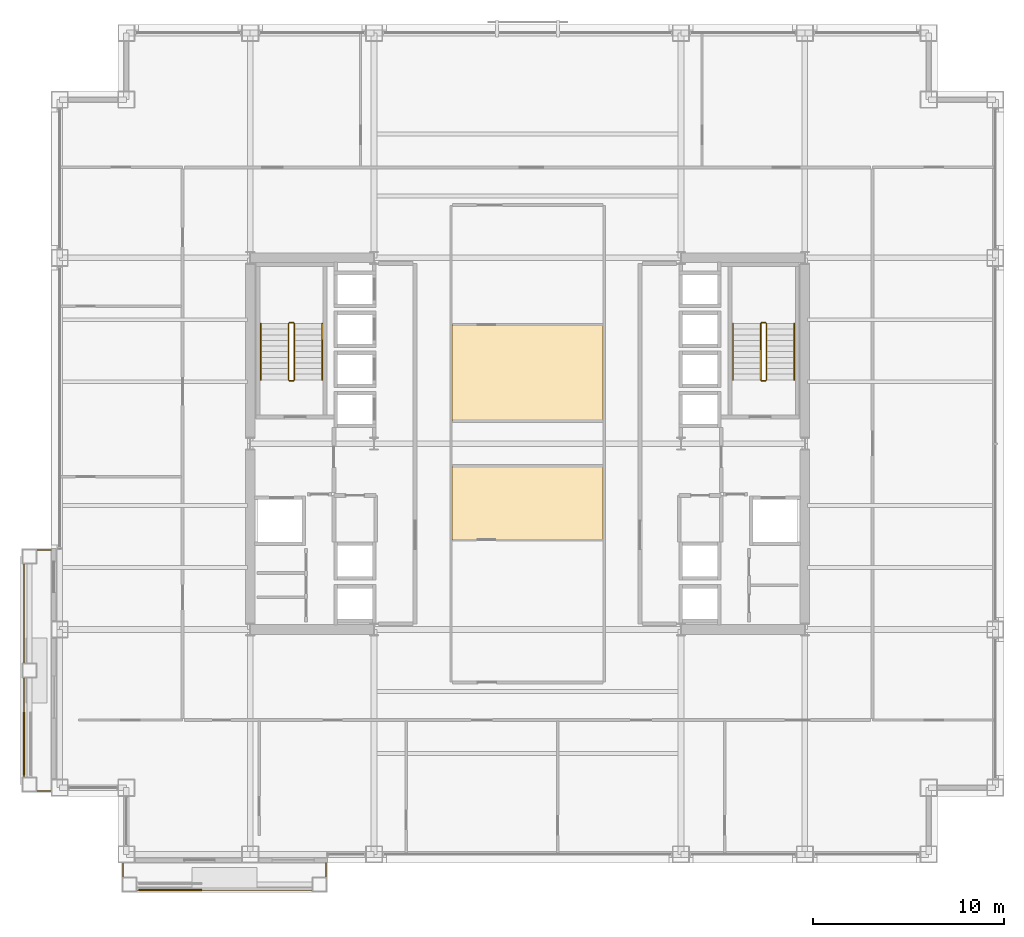
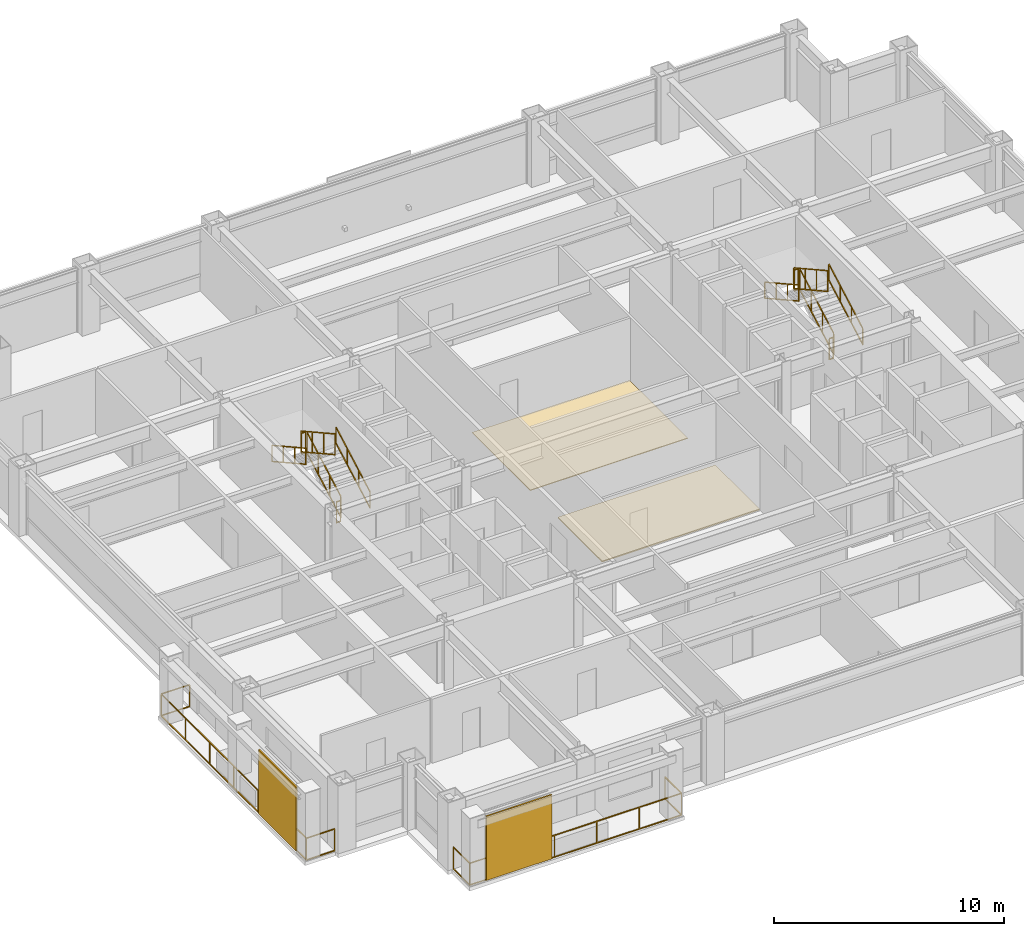
# One storey, part 28 of 30: 14 railings, 2 coverings, 2 shading devices.
"""IFC4 building model written with IfcOpenShell, lengths in metres."""

from ifc_helpers import new_model, si_unit, direction, frame, origin, origin_2d, place, context, subcontext, project, spatial, polyline, rectangle, outline, extrude, material, layer, layer_set, type_object, element, save


model = new_model("IFC4")

# Units and contexts
model_context = context("Model", 3, precision=1e-05, world=origin(), true_north=direction((0.0, 1.0)))
body_context = subcontext(model_context, "Body", "Model", "MODEL_VIEW")
ifc_project = project(units=[si_unit("LENGTHUNIT", "METRE"), si_unit("AREAUNIT", "SQUARE_METRE"), si_unit("VOLUMEUNIT", "CUBIC_METRE"), si_unit("PLANEANGLEUNIT", "RADIAN"), si_unit("MASSUNIT", "GRAM", prefix="KILO")], contexts=[model_context])

# Site, building, storey
site_placement = place(None, origin())
site = spatial("IfcSite", under=ifc_project, at=site_placement, CompositionType="ELEMENT")
building_placement = place(site_placement, origin())
building = spatial("IfcBuilding", under=site, at=building_placement, Name="Brelmoor Portico Tower", CompositionType="ELEMENT")
storey_placement = place(building_placement, frame((0.0, 0.0, 74.39990234375)))
storey = spatial("IfcBuildingStorey", under=building, at=storey_placement, Name="L19", CompositionType="ELEMENT", Elevation=74.39990234375)

# Coverings
ifc_material_1 = material(Name="Calcium-Sulphate Raised Access Floor Panel", Category="steel")
ifc_layer_1 = layer(ifc_material_1, 0.06005859375)
ifc_layer_set_1 = layer_set([ifc_layer_1], Name="Calcium-Sulphate Raised Access Floor Panel")
covering_type_1 = type_object("IfcCoveringType", Name="CV-FLR-ACCESS-60", PredefinedType="FLOORING", material=ifc_layer_set_1)
covering_1_placement = place(storey_placement, origin())
element("IfcCovering", 1, at=covering_1_placement, inside=storey, type_object=covering_type_1, Name="L19 Architectural Floor Finish 02", PredefinedType="FLOORING", context=body_context, shape_type="SweptSolid", body=[
    extrude(outline(polyline([(-3.9599609375, -5.06005859375), (-3.9599609375, -1.199951171875), (3.9599609375, -1.199951171875), (3.9599609375, -5.06005859375), (-3.9599609375, -5.06005859375)])), origin(), (0.0, 0.0, 1.0), 0.06005859375),
])
ifc_material_2 = material(Name="Honed Pearl-Grey Granite Paver Finish", Category="masonry")
ifc_layer_2 = layer(ifc_material_2, 0.0380859375)
ifc_layer_set_2 = layer_set([ifc_layer_2], Name="Honed Pearl-Grey Granite Paver Finish")
covering_type_2 = type_object("IfcCoveringType", Name="CV-FLR-GRANITE-38", PredefinedType="FLOORING", material=ifc_layer_set_2)
covering_2_placement = place(storey_placement, origin())
element("IfcCovering", 2, at=covering_2_placement, inside=storey, type_object=covering_type_2, Name="L19 Architectural Floor Finish 01", PredefinedType="FLOORING", context=body_context, shape_type="SweptSolid", body=[
    extrude(outline(polyline([(-3.9599609375, 1.199951171875), (-3.9599609375, 6.260009765625), (3.9599609375, 6.260009765625), (3.9599609375, 1.199951171875), (-3.9599609375, 1.199951171875)])), origin(), (0.0, 0.0, 1.0), 0.0380859375),
])

# Railings
ifc_material_3 = material(Name="Perforated Pale Champagne Aluminium Fretwork Guard", Category="aluminium")
railing_type_1 = type_object("IfcRailingType", Name="RL-BALUSTRADE-1200", PredefinedType="BALUSTRADE", material=ifc_material_3)
railing_1_placement = place(storey_placement, frame((-21.219970703125, -22.0, 0.0)))
element("IfcRailing", 3, at=railing_1_placement, inside=storey, type_object=railing_type_1, Name="L19 Tree Balcony Fretwork Balustrade S", PredefinedType="BALUSTRADE", context=body_context, shape_type="SweptSolid", body=[
    extrude(rectangle(XDim=0.048095703125, YDim=0.048095703125, at=origin_2d()), frame((0.0, 0.0, 1.17578125), z_axis=(0.0, -1.0, 0.0), x_axis=(1.0, 0.0, 0.0)), (0.0, 0.0, 1.0), 1.429931640625),
    extrude(rectangle(XDim=0.048095703125, YDim=0.048095703125, at=origin_2d()), frame((0.0, 0.0, 0.02392578125), z_axis=(0.0, -1.0, 0.0), x_axis=(1.0, 0.0, 0.0)), (0.0, 0.0, 1.0), 1.429931640625),
    extrude(rectangle(XDim=0.048095703125, YDim=0.048095703125, at=origin_2d()), frame((0.0, -1.429931640625, 1.17578125), z_axis=(1.0, 0.0, 0.0), x_axis=(0.0, 1.0, 0.0)), (0.0, 0.0, 1.0), 10.639892578125),
    extrude(rectangle(XDim=0.048095703125, YDim=0.048095703125, at=origin_2d()), frame((0.0, -1.429931640625, 0.02392578125), z_axis=(1.0, 0.0, 0.0), x_axis=(0.0, 1.0, 0.0)), (0.0, 0.0, 1.0), 10.639892578125),
    extrude(rectangle(XDim=0.048095703125, YDim=0.048095703125, at=origin_2d()), frame((10.639892578125, -1.429931640625, 1.17578125), z_axis=(0.0, 1.0, 0.0), x_axis=(-1.0, 0.0, 0.0)), (0.0, 0.0, 1.0), 1.429931640625),
    extrude(rectangle(XDim=0.048095703125, YDim=0.048095703125, at=origin_2d()), frame((10.639892578125, -1.429931640625, 0.02392578125), z_axis=(0.0, 1.0, 0.0), x_axis=(-1.0, 0.0, 0.0)), (0.0, 0.0, 1.0), 1.429931640625),
    extrude(rectangle(XDim=0.0419921875, YDim=0.0419921875, at=origin_2d()), origin(), (0.0, 0.0, 1.0), 1.15185546875),
    extrude(rectangle(XDim=0.0419921875, YDim=0.0419921875, at=origin_2d()), frame((0.0, -1.429931640625, 0.0)), (0.0, 0.0, 1.0), 1.15185546875),
    extrude(rectangle(XDim=0.0419921875, YDim=0.0419921875, at=origin_2d()), frame((2.1279296875, -1.429931640625, 0.0)), (0.0, 0.0, 1.0), 1.15185546875),
    extrude(rectangle(XDim=0.0419921875, YDim=0.0419921875, at=origin_2d()), frame((4.255859375, -1.429931640625, 0.0)), (0.0, 0.0, 1.0), 1.15185546875),
    extrude(rectangle(XDim=0.0419921875, YDim=0.0419921875, at=origin_2d()), frame((6.384033203125, -1.429931640625, 0.0)), (0.0, 0.0, 1.0), 1.15185546875),
    extrude(rectangle(XDim=0.0419921875, YDim=0.0419921875, at=origin_2d()), frame((8.511962890625, -1.429931640625, 0.0)), (0.0, 0.0, 1.0), 1.15185546875),
    extrude(rectangle(XDim=0.0419921875, YDim=0.0419921875, at=origin_2d()), frame((10.639892578125, -1.429931640625, 0.0)), (0.0, 0.0, 1.0), 1.15185546875),
    extrude(rectangle(XDim=0.0419921875, YDim=0.0419921875, at=origin_2d()), frame((10.639892578125, 0.0, 0.0)), (0.0, 0.0, 1.0), 1.15185546875),
])
railing_2_placement = place(storey_placement, frame((-25.0, -18.219970703125, 0.0)))
element("IfcRailing", 4, at=railing_2_placement, inside=storey, type_object=railing_type_1, Name="L19 Tree Balcony Fretwork Balustrade W", PredefinedType="BALUSTRADE", context=body_context, shape_type="SweptSolid", body=[
    extrude(rectangle(XDim=0.048095703125, YDim=0.048095703125, at=origin_2d()), frame((0.0, 0.0, 1.17578125), z_axis=(-1.0, 0.0, 0.0), x_axis=(0.0, -1.0, 0.0)), (0.0, 0.0, 1.0), 1.429931640625),
    extrude(rectangle(XDim=0.048095703125, YDim=0.048095703125, at=origin_2d()), frame((0.0, 0.0, 0.02392578125), z_axis=(-1.0, 0.0, 0.0), x_axis=(0.0, -1.0, 0.0)), (0.0, 0.0, 1.0), 1.429931640625),
    extrude(rectangle(XDim=0.048095703125, YDim=0.048095703125, at=origin_2d()), frame((-1.429931640625, 0.0, 1.17578125), z_axis=(0.0, 1.0, 0.0), x_axis=(-1.0, 0.0, 0.0)), (0.0, 0.0, 1.0), 12.639892578125),
    extrude(rectangle(XDim=0.048095703125, YDim=0.048095703125, at=origin_2d()), frame((-1.429931640625, 0.0, 0.02392578125), z_axis=(0.0, 1.0, 0.0), x_axis=(-1.0, 0.0, 0.0)), (0.0, 0.0, 1.0), 12.639892578125),
    extrude(rectangle(XDim=0.048095703125, YDim=0.048095703125, at=origin_2d()), frame((-1.429931640625, 12.639892578125, 1.17578125), z_axis=(1.0, 0.0, 0.0), x_axis=(0.0, 1.0, 0.0)), (0.0, 0.0, 1.0), 1.429931640625),
    extrude(rectangle(XDim=0.048095703125, YDim=0.048095703125, at=origin_2d()), frame((-1.429931640625, 12.639892578125, 0.02392578125), z_axis=(1.0, 0.0, 0.0), x_axis=(0.0, 1.0, 0.0)), (0.0, 0.0, 1.0), 1.429931640625),
    extrude(rectangle(XDim=0.0419921875, YDim=0.0419921875, at=origin_2d()), origin(), (0.0, 0.0, 1.0), 1.15185546875),
    extrude(rectangle(XDim=0.0419921875, YDim=0.0419921875, at=origin_2d()), frame((-1.429931640625, 0.0, 0.0)), (0.0, 0.0, 1.0), 1.15185546875),
    extrude(rectangle(XDim=0.0419921875, YDim=0.0419921875, at=origin_2d()), frame((-1.429931640625, 2.106689453125, 0.0)), (0.0, 0.0, 1.0), 1.15185546875),
    extrude(rectangle(XDim=0.0419921875, YDim=0.0419921875, at=origin_2d()), frame((-1.429931640625, 4.21337890625, 0.0)), (0.0, 0.0, 1.0), 1.15185546875),
    extrude(rectangle(XDim=0.0419921875, YDim=0.0419921875, at=origin_2d()), frame((-1.429931640625, 6.31982421875, 0.0)), (0.0, 0.0, 1.0), 1.15185546875),
    extrude(rectangle(XDim=0.0419921875, YDim=0.0419921875, at=origin_2d()), frame((-1.429931640625, 8.426513671875, 0.0)), (0.0, 0.0, 1.0), 1.15185546875),
    extrude(rectangle(XDim=0.0419921875, YDim=0.0419921875, at=origin_2d()), frame((-1.429931640625, 10.533203125, 0.0)), (0.0, 0.0, 1.0), 1.15185546875),
    extrude(rectangle(XDim=0.0419921875, YDim=0.0419921875, at=origin_2d()), frame((-1.429931640625, 12.639892578125, 0.0)), (0.0, 0.0, 1.0), 1.15185546875),
    extrude(rectangle(XDim=0.0419921875, YDim=0.0419921875, at=origin_2d()), frame((0.0, 12.639892578125, 0.0)), (0.0, 0.0, 1.0), 1.15185546875),
])
ifc_material_4 = material(Name="Painted Tubular Steel Q235B", Category="steel")
railing_type_2 = type_object("IfcRailingType", Name="RL-STAIR-GUARD", PredefinedType="GUARDRAIL", material=ifc_material_4)
railing_3_placement = place(storey_placement, frame((-12.239990234375, 3.35009765625, 0.163818359375)))
element("IfcRailing", 5, at=railing_3_placement, inside=storey, type_object=railing_type_2, Name="L19 ST-W stair guard 1", PredefinedType="GUARDRAIL", context=body_context, shape_type="SweptSolid", body=[
    extrude(rectangle(XDim=0.048095703125, YDim=0.048095703125, at=origin_2d()), frame((0.0, 0.0, 1.1259765625), z_axis=(0.0, 0.87448821551, 0.485046761595), x_axis=(-1.0, 0.0, 0.0)), (0.0, 0.0, 1.0), 3.373291015625),
    extrude(rectangle(XDim=0.048095703125, YDim=0.048095703125, at=origin_2d()), frame((0.0, 0.0, 0.02392578125), z_axis=(0.0, 0.87448821551, 0.485046761595), x_axis=(-1.0, 0.0, 0.0)), (0.0, 0.0, 1.0), 3.373291015625),
    extrude(rectangle(XDim=0.0419921875, YDim=0.0419921875, at=origin_2d()), origin(), (0.0, 0.0, 1.0), 1.101806640625),
    extrude(rectangle(XDim=0.0419921875, YDim=0.0419921875, at=origin_2d()), frame((0.0, 0.9833984375, 0.54541015625)), (0.0, 0.0, 1.0), 1.101806640625),
    extrude(rectangle(XDim=0.0419921875, YDim=0.0419921875, at=origin_2d()), frame((0.0, 1.966552734375, 1.0908203125)), (0.0, 0.0, 1.0), 1.101806640625),
    extrude(rectangle(XDim=0.0419921875, YDim=0.0419921875, at=origin_2d()), frame((0.0, 2.949951171875, 1.63623046875)), (0.0, 0.0, 1.0), 1.101806640625),
])
railing_4_placement = place(storey_placement, frame((-12.2900390625, 6.35009765625, 1.800048828125)))
element("IfcRailing", 6, at=railing_4_placement, inside=storey, type_object=railing_type_2, Name="L19 ST-W stair guard 2", PredefinedType="GUARDRAIL", context=body_context, shape_type="SweptSolid", body=[
    extrude(rectangle(XDim=0.048095703125, YDim=0.048095703125, at=origin_2d()), frame((0.0, 0.0, 1.1259765625), z_axis=(-1.0, 0.0, 0.0), x_axis=(0.0, -1.0, 0.0)), (0.0, 0.0, 1.0), 0.199951171875),
    extrude(rectangle(XDim=0.048095703125, YDim=0.048095703125, at=origin_2d()), frame((0.0, 0.0, 0.02392578125), z_axis=(-1.0, 0.0, 0.0), x_axis=(0.0, -1.0, 0.0)), (0.0, 0.0, 1.0), 0.199951171875),
    extrude(rectangle(XDim=0.0419921875, YDim=0.0419921875, at=origin_2d()), origin(), (0.0, 0.0, 1.0), 1.101806640625),
    extrude(rectangle(XDim=0.0419921875, YDim=0.0419921875, at=origin_2d()), frame((-0.199951171875, 0.0, 0.0)), (0.0, 0.0, 1.0), 1.101806640625),
])
railing_5_placement = place(storey_placement, frame((-12.5400390625, 6.300048828125, 1.963623046875)))
element("IfcRailing", 7, at=railing_5_placement, inside=storey, type_object=railing_type_2, Name="L19 ST-W stair guard 3", PredefinedType="GUARDRAIL", context=body_context, shape_type="SweptSolid", body=[
    extrude(rectangle(XDim=0.048095703125, YDim=0.048095703125, at=origin_2d()), frame((0.0, 0.0, 1.1259765625), z_axis=(0.0, -0.874457516365, 0.485102104791), x_axis=(1.0, 0.0, 0.0)), (0.0, 0.0, 1.0), 3.37353515625),
    extrude(rectangle(XDim=0.048095703125, YDim=0.048095703125, at=origin_2d()), frame((0.0, 0.0, 0.02392578125), z_axis=(0.0, -0.874457516365, 0.485102104791), x_axis=(1.0, 0.0, 0.0)), (0.0, 0.0, 1.0), 3.37353515625),
    extrude(rectangle(XDim=0.0419921875, YDim=0.0419921875, at=origin_2d()), origin(), (0.0, 0.0, 1.0), 1.101806640625),
    extrude(rectangle(XDim=0.0419921875, YDim=0.0419921875, at=origin_2d()), frame((0.0, -0.9833984375, 0.54541015625)), (0.0, 0.0, 1.0), 1.101806640625),
    extrude(rectangle(XDim=0.0419921875, YDim=0.0419921875, at=origin_2d()), frame((0.0, -1.966552734375, 1.091064453125)), (0.0, 0.0, 1.0), 1.101806640625),
    extrude(rectangle(XDim=0.0419921875, YDim=0.0419921875, at=origin_2d()), frame((0.0, -2.949951171875, 1.636474609375)), (0.0, 0.0, 1.0), 1.101806640625),
])
railing_6_placement = place(storey_placement, frame((-12.2900390625, 3.300048828125, 0.0)))
element("IfcRailing", 8, at=railing_6_placement, inside=storey, type_object=railing_type_2, Name="L19 ST-W stair guard 4", PredefinedType="GUARDRAIL", context=body_context, shape_type="SweptSolid", body=[
    extrude(rectangle(XDim=0.048095703125, YDim=0.048095703125, at=origin_2d()), frame((0.0, 0.0, 1.1259765625), z_axis=(-1.0, 0.0, 0.0), x_axis=(0.0, -1.0, 0.0)), (0.0, 0.0, 1.0), 0.199951171875),
    extrude(rectangle(XDim=0.048095703125, YDim=0.048095703125, at=origin_2d()), frame((0.0, 0.0, 0.02392578125), z_axis=(-1.0, 0.0, 0.0), x_axis=(0.0, -1.0, 0.0)), (0.0, 0.0, 1.0), 0.199951171875),
    extrude(rectangle(XDim=0.0419921875, YDim=0.0419921875, at=origin_2d()), origin(), (0.0, 0.0, 1.0), 1.101806640625),
    extrude(rectangle(XDim=0.0419921875, YDim=0.0419921875, at=origin_2d()), frame((-0.199951171875, 0.0, 0.0)), (0.0, 0.0, 1.0), 1.101806640625),
])
railing_7_placement = place(storey_placement, frame((12.5400390625, 3.35009765625, 0.163818359375)))
element("IfcRailing", 9, at=railing_7_placement, inside=storey, type_object=railing_type_2, Name="L19 ST-E stair guard 1", PredefinedType="GUARDRAIL", context=body_context, shape_type="SweptSolid", body=[
    extrude(rectangle(XDim=0.048095703125, YDim=0.048095703125, at=origin_2d()), frame((0.0, 0.0, 1.1259765625), z_axis=(0.0, 0.87448821551, 0.485046761595), x_axis=(-1.0, 0.0, 0.0)), (0.0, 0.0, 1.0), 3.373291015625),
    extrude(rectangle(XDim=0.048095703125, YDim=0.048095703125, at=origin_2d()), frame((0.0, 0.0, 0.02392578125), z_axis=(0.0, 0.87448821551, 0.485046761595), x_axis=(-1.0, 0.0, 0.0)), (0.0, 0.0, 1.0), 3.373291015625),
    extrude(rectangle(XDim=0.0419921875, YDim=0.0419921875, at=origin_2d()), origin(), (0.0, 0.0, 1.0), 1.101806640625),
    extrude(rectangle(XDim=0.0419921875, YDim=0.0419921875, at=origin_2d()), frame((0.0, 0.9833984375, 0.54541015625)), (0.0, 0.0, 1.0), 1.101806640625),
    extrude(rectangle(XDim=0.0419921875, YDim=0.0419921875, at=origin_2d()), frame((0.0, 1.966552734375, 1.0908203125)), (0.0, 0.0, 1.0), 1.101806640625),
    extrude(rectangle(XDim=0.0419921875, YDim=0.0419921875, at=origin_2d()), frame((0.0, 2.949951171875, 1.63623046875)), (0.0, 0.0, 1.0), 1.101806640625),
])
railing_8_placement = place(storey_placement, frame((12.489990234375, 6.35009765625, 1.800048828125)))
element("IfcRailing", 10, at=railing_8_placement, inside=storey, type_object=railing_type_2, Name="L19 ST-E stair guard 2", PredefinedType="GUARDRAIL", context=body_context, shape_type="SweptSolid", body=[
    extrude(rectangle(XDim=0.048095703125, YDim=0.048095703125, at=origin_2d()), frame((0.0, 0.0, 1.1259765625), z_axis=(-1.0, 0.0, 0.0), x_axis=(0.0, -1.0, 0.0)), (0.0, 0.0, 1.0), 0.199951171875),
    extrude(rectangle(XDim=0.048095703125, YDim=0.048095703125, at=origin_2d()), frame((0.0, 0.0, 0.02392578125), z_axis=(-1.0, 0.0, 0.0), x_axis=(0.0, -1.0, 0.0)), (0.0, 0.0, 1.0), 0.199951171875),
    extrude(rectangle(XDim=0.0419921875, YDim=0.0419921875, at=origin_2d()), origin(), (0.0, 0.0, 1.0), 1.101806640625),
    extrude(rectangle(XDim=0.0419921875, YDim=0.0419921875, at=origin_2d()), frame((-0.199951171875, 0.0, 0.0)), (0.0, 0.0, 1.0), 1.101806640625),
])
railing_9_placement = place(storey_placement, frame((12.239990234375, 6.300048828125, 1.963623046875)))
element("IfcRailing", 11, at=railing_9_placement, inside=storey, type_object=railing_type_2, Name="L19 ST-E stair guard 3", PredefinedType="GUARDRAIL", context=body_context, shape_type="SweptSolid", body=[
    extrude(rectangle(XDim=0.048095703125, YDim=0.048095703125, at=origin_2d()), frame((0.0, 0.0, 1.1259765625), z_axis=(0.0, -0.874457516365, 0.485102104791), x_axis=(1.0, 0.0, 0.0)), (0.0, 0.0, 1.0), 3.37353515625),
    extrude(rectangle(XDim=0.048095703125, YDim=0.048095703125, at=origin_2d()), frame((0.0, 0.0, 0.02392578125), z_axis=(0.0, -0.874457516365, 0.485102104791), x_axis=(1.0, 0.0, 0.0)), (0.0, 0.0, 1.0), 3.37353515625),
    extrude(rectangle(XDim=0.0419921875, YDim=0.0419921875, at=origin_2d()), origin(), (0.0, 0.0, 1.0), 1.101806640625),
    extrude(rectangle(XDim=0.0419921875, YDim=0.0419921875, at=origin_2d()), frame((0.0, -0.9833984375, 0.54541015625)), (0.0, 0.0, 1.0), 1.101806640625),
    extrude(rectangle(XDim=0.0419921875, YDim=0.0419921875, at=origin_2d()), frame((0.0, -1.966552734375, 1.091064453125)), (0.0, 0.0, 1.0), 1.101806640625),
    extrude(rectangle(XDim=0.0419921875, YDim=0.0419921875, at=origin_2d()), frame((0.0, -2.949951171875, 1.636474609375)), (0.0, 0.0, 1.0), 1.101806640625),
])
railing_10_placement = place(storey_placement, frame((12.489990234375, 3.300048828125, 0.0)))
element("IfcRailing", 12, at=railing_10_placement, inside=storey, type_object=railing_type_2, Name="L19 ST-E stair guard 4", PredefinedType="GUARDRAIL", context=body_context, shape_type="SweptSolid", body=[
    extrude(rectangle(XDim=0.048095703125, YDim=0.048095703125, at=origin_2d()), frame((0.0, 0.0, 1.1259765625), z_axis=(-1.0, 0.0, 0.0), x_axis=(0.0, -1.0, 0.0)), (0.0, 0.0, 1.0), 0.199951171875),
    extrude(rectangle(XDim=0.048095703125, YDim=0.048095703125, at=origin_2d()), frame((0.0, 0.0, 0.02392578125), z_axis=(-1.0, 0.0, 0.0), x_axis=(0.0, -1.0, 0.0)), (0.0, 0.0, 1.0), 0.199951171875),
    extrude(rectangle(XDim=0.0419921875, YDim=0.0419921875, at=origin_2d()), origin(), (0.0, 0.0, 1.0), 1.101806640625),
    extrude(rectangle(XDim=0.0419921875, YDim=0.0419921875, at=origin_2d()), frame((-0.199951171875, 0.0, 0.0)), (0.0, 0.0, 1.0), 1.101806640625),
])
ifc_material_5 = material(Name="Brushed Stainless Steel 304", Category="steel")
railing_type_3 = type_object("IfcRailingType", Name="RL-STAIR-HANDRAIL", PredefinedType="HANDRAIL", material=ifc_material_5)
railing_11_placement = place(storey_placement, frame((-10.780029296875, 3.35009765625, 0.163818359375)))
element("IfcRailing", 13, at=railing_11_placement, inside=storey, type_object=railing_type_3, Name="L19 ST-W stair handrail 1", PredefinedType="HANDRAIL", context=body_context, shape_type="SweptSolid", body=[
    extrude(rectangle(XDim=0.048095703125, YDim=0.048095703125, at=origin_2d()), frame((0.0, 0.0, 0.8759765625), z_axis=(0.0, 0.87448821551, 0.485046761595), x_axis=(-1.0, 0.0, 0.0)), (0.0, 0.0, 1.0), 3.373291015625),
    extrude(rectangle(XDim=0.048095703125, YDim=0.048095703125, at=origin_2d()), frame((0.0, 0.0, 0.02392578125), z_axis=(0.0, 0.87448821551, 0.485046761595), x_axis=(-1.0, 0.0, 0.0)), (0.0, 0.0, 1.0), 3.373291015625),
    extrude(rectangle(XDim=0.0419921875, YDim=0.0419921875, at=origin_2d()), origin(), (0.0, 0.0, 1.0), 0.851806640625),
    extrude(rectangle(XDim=0.0419921875, YDim=0.0419921875, at=origin_2d()), frame((0.0, 0.9833984375, 0.54541015625)), (0.0, 0.0, 1.0), 0.851806640625),
    extrude(rectangle(XDim=0.0419921875, YDim=0.0419921875, at=origin_2d()), frame((0.0, 1.966552734375, 1.0908203125)), (0.0, 0.0, 1.0), 0.851806640625),
    extrude(rectangle(XDim=0.0419921875, YDim=0.0419921875, at=origin_2d()), frame((0.0, 2.949951171875, 1.63623046875)), (0.0, 0.0, 1.0), 0.851806640625),
])
railing_12_placement = place(storey_placement, frame((-14.0, 6.300048828125, 1.963623046875)))
element("IfcRailing", 14, at=railing_12_placement, inside=storey, type_object=railing_type_3, Name="L19 ST-W stair handrail 2", PredefinedType="HANDRAIL", context=body_context, shape_type="SweptSolid", body=[
    extrude(rectangle(XDim=0.048095703125, YDim=0.048095703125, at=origin_2d()), frame((0.0, 0.0, 0.8759765625), z_axis=(0.0, -0.874457516365, 0.485102104791), x_axis=(1.0, 0.0, 0.0)), (0.0, 0.0, 1.0), 3.37353515625),
    extrude(rectangle(XDim=0.048095703125, YDim=0.048095703125, at=origin_2d()), frame((0.0, 0.0, 0.02392578125), z_axis=(0.0, -0.874457516365, 0.485102104791), x_axis=(1.0, 0.0, 0.0)), (0.0, 0.0, 1.0), 3.37353515625),
    extrude(rectangle(XDim=0.0419921875, YDim=0.0419921875, at=origin_2d()), origin(), (0.0, 0.0, 1.0), 0.851806640625),
    extrude(rectangle(XDim=0.0419921875, YDim=0.0419921875, at=origin_2d()), frame((0.0, -0.9833984375, 0.54541015625)), (0.0, 0.0, 1.0), 0.851806640625),
    extrude(rectangle(XDim=0.0419921875, YDim=0.0419921875, at=origin_2d()), frame((0.0, -1.966552734375, 1.091064453125)), (0.0, 0.0, 1.0), 0.851806640625),
    extrude(rectangle(XDim=0.0419921875, YDim=0.0419921875, at=origin_2d()), frame((0.0, -2.949951171875, 1.636474609375)), (0.0, 0.0, 1.0), 0.851806640625),
])
railing_13_placement = place(storey_placement, frame((14.0, 3.35009765625, 0.163818359375)))
element("IfcRailing", 15, at=railing_13_placement, inside=storey, type_object=railing_type_3, Name="L19 ST-E stair handrail 1", PredefinedType="HANDRAIL", context=body_context, shape_type="SweptSolid", body=[
    extrude(rectangle(XDim=0.048095703125, YDim=0.048095703125, at=origin_2d()), frame((0.0, 0.0, 0.8759765625), z_axis=(0.0, 0.87448821551, 0.485046761595), x_axis=(-1.0, 0.0, 0.0)), (0.0, 0.0, 1.0), 3.373291015625),
    extrude(rectangle(XDim=0.048095703125, YDim=0.048095703125, at=origin_2d()), frame((0.0, 0.0, 0.02392578125), z_axis=(0.0, 0.87448821551, 0.485046761595), x_axis=(-1.0, 0.0, 0.0)), (0.0, 0.0, 1.0), 3.373291015625),
    extrude(rectangle(XDim=0.0419921875, YDim=0.0419921875, at=origin_2d()), origin(), (0.0, 0.0, 1.0), 0.851806640625),
    extrude(rectangle(XDim=0.0419921875, YDim=0.0419921875, at=origin_2d()), frame((0.0, 0.9833984375, 0.54541015625)), (0.0, 0.0, 1.0), 0.851806640625),
    extrude(rectangle(XDim=0.0419921875, YDim=0.0419921875, at=origin_2d()), frame((0.0, 1.966552734375, 1.0908203125)), (0.0, 0.0, 1.0), 0.851806640625),
    extrude(rectangle(XDim=0.0419921875, YDim=0.0419921875, at=origin_2d()), frame((0.0, 2.949951171875, 1.63623046875)), (0.0, 0.0, 1.0), 0.851806640625),
])
railing_14_placement = place(storey_placement, frame((10.780029296875, 6.300048828125, 1.963623046875)))
element("IfcRailing", 16, at=railing_14_placement, inside=storey, type_object=railing_type_3, Name="L19 ST-E stair handrail 2", PredefinedType="HANDRAIL", context=body_context, shape_type="SweptSolid", body=[
    extrude(rectangle(XDim=0.048095703125, YDim=0.048095703125, at=origin_2d()), frame((0.0, 0.0, 0.8759765625), z_axis=(0.0, -0.874457516365, 0.485102104791), x_axis=(1.0, 0.0, 0.0)), (0.0, 0.0, 1.0), 3.37353515625),
    extrude(rectangle(XDim=0.048095703125, YDim=0.048095703125, at=origin_2d()), frame((0.0, 0.0, 0.02392578125), z_axis=(0.0, -0.874457516365, 0.485102104791), x_axis=(1.0, 0.0, 0.0)), (0.0, 0.0, 1.0), 3.37353515625),
    extrude(rectangle(XDim=0.0419921875, YDim=0.0419921875, at=origin_2d()), origin(), (0.0, 0.0, 1.0), 0.851806640625),
    extrude(rectangle(XDim=0.0419921875, YDim=0.0419921875, at=origin_2d()), frame((0.0, -0.9833984375, 0.54541015625)), (0.0, 0.0, 1.0), 0.851806640625),
    extrude(rectangle(XDim=0.0419921875, YDim=0.0419921875, at=origin_2d()), frame((0.0, -1.966552734375, 1.091064453125)), (0.0, 0.0, 1.0), 0.851806640625),
    extrude(rectangle(XDim=0.0419921875, YDim=0.0419921875, at=origin_2d()), frame((0.0, -2.949951171875, 1.636474609375)), (0.0, 0.0, 1.0), 0.851806640625),
])

# Shading devices
ifc_material_6 = material(Name="Powder-Coated Aluminium Shuttered Jalousie", Category="aluminium")
ifc_layer_3 = layer(ifc_material_6, 0.080078125)
ifc_layer_set_3 = layer_set([ifc_layer_3], Name="Powder-Coated Aluminium Shuttered Jalousie")
shading_device_type = type_object("IfcShadingDeviceType", Name="SD-JALOUSIE-LOGGIA", PredefinedType="JALOUSIE", material=ifc_layer_set_3)
for number, where, z_axis, x_axis, name in (
    (17, (-18.75, -23.429931640625, 0.000244140625), (0.0, 0.0, 1.0), (1.0, 0.0, 0.0), "L19 Loggia Shuttered Jalousie S"),
    (18, (-26.429931640625, -15.75, 0.000244140625), (0.0, 0.0, 1.0), (0.0, 1.0, 0.0), "L19 Loggia Shuttered Jalousie W"),
):
    element("IfcShadingDevice", number, at=place(storey_placement, frame(where, z_axis=z_axis, x_axis=x_axis)), inside=storey, type_object=shading_device_type, Name=name, PredefinedType="JALOUSIE", context=body_context, shape_type="SweptSolid", body=[
        extrude(rectangle(XDim=3.300048828125, YDim=0.080078125, at=origin_2d()), origin(), (0.0, 0.0, 1.0), 3.39990234375),
    ])

save(model, "model.ifc")
